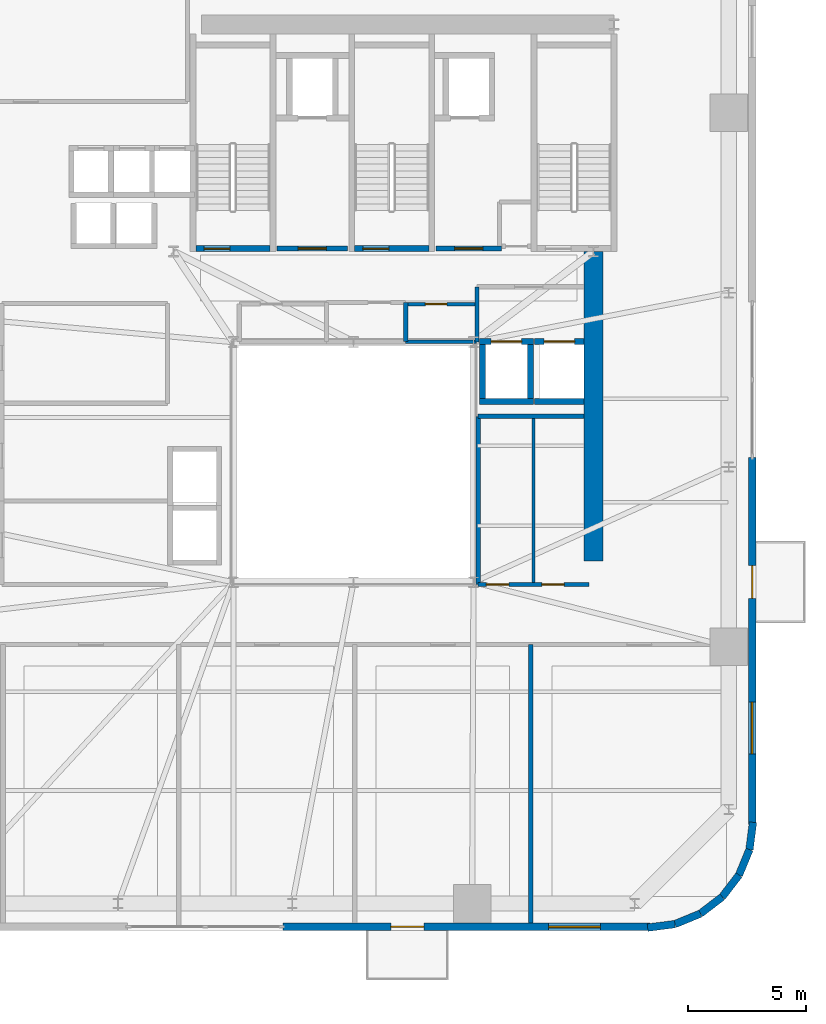
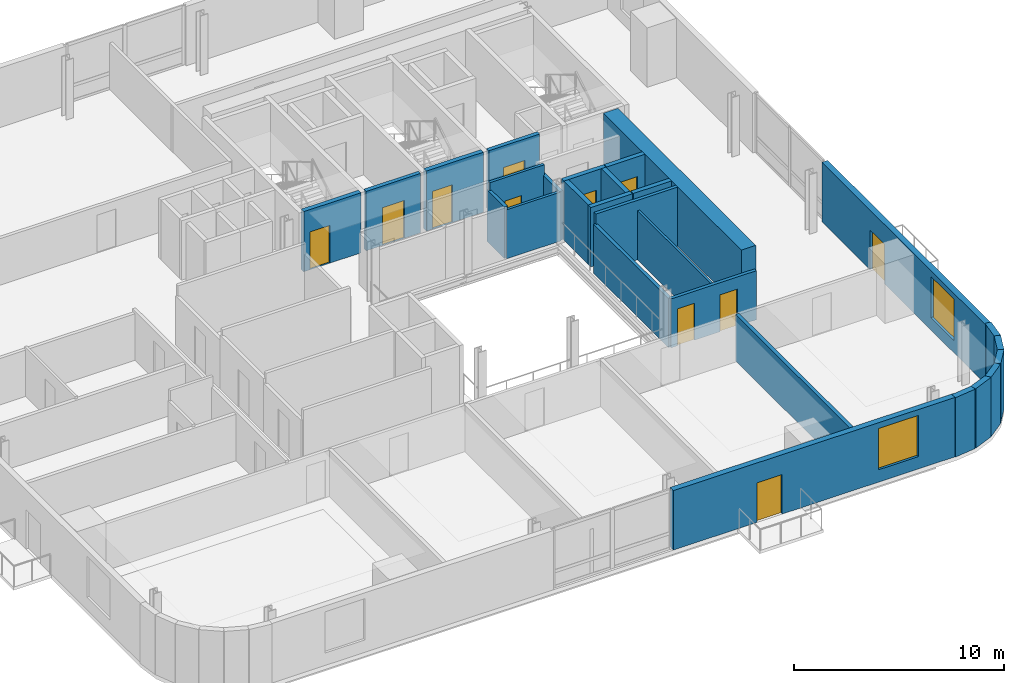
# One storey, part 7 of 13: 28 walls, 11 doors, 2 windows, 13 openings.
"""IFC4 building model written with IfcOpenShell, lengths in metres."""

from ifc_helpers import new_model, si_unit, direction, frame, frame_2d, origin, place, context, subcontext, project, spatial, rectangle, extrude, source, transform, mapped, material, layer, layer_set, type_object, element, fill, save


model = new_model("IFC4")

# Units and contexts
model_context = context("Model", 3, precision=1e-05, world=origin(), true_north=direction((0.0, 1.0)))
body_context = subcontext(model_context, "Body", "Model", "MODEL_VIEW")
ifc_project = project(units=[si_unit("LENGTHUNIT", "METRE"), si_unit("AREAUNIT", "SQUARE_METRE"), si_unit("VOLUMEUNIT", "CUBIC_METRE"), si_unit("PLANEANGLEUNIT", "RADIAN"), si_unit("MASSUNIT", "GRAM", prefix="KILO")], contexts=[model_context])

# Site, building, storey
site_placement = place(None, origin())
site = spatial("IfcSite", under=ifc_project, at=site_placement, CompositionType="ELEMENT")
building_placement = place(site_placement, origin())
building = spatial("IfcBuilding", under=site, at=building_placement, Name="Vardaveli Station Tower", CompositionType="ELEMENT")
storey_placement = place(building_placement, frame((0.0, 0.0, 115.0)))
storey = spatial("IfcBuildingStorey", under=building, at=storey_placement, Name="L29", CompositionType="ELEMENT", Elevation=115.0)

# Wall
ifc_material_1 = material(Name="Concrete C50/60", Category="concrete")
ifc_layer_1 = layer(ifc_material_1, 0.800048828125, Name="Concrete C50/60")
ifc_layer_set_1 = layer_set([ifc_layer_1], Name="Concrete C50/60")
wall_type_1 = type_object("IfcWallType", Name="WAL-CORE-800", PredefinedType="SHEAR", material=ifc_layer_set_1)
shared_shape_1 = source(origin(), body_context, "Body", "SweptSolid", [
    extrude(rectangle(XDim=13.14990234375, YDim=0.800048828125, at=frame_2d((6.574951171875, 0.0))), origin(), (0.0, 0.0, 1.0), 3.4599609375),
])
wall_1_placement = place(storey_placement, frame((46.5, 17.5, 0.0), z_axis=(0.0, 0.0, 1.0), x_axis=(0.0, 1.0, 0.0)))
element("IfcWall", 1, at=wall_1_placement, inside=storey, type_object=wall_type_1, Name="SW-L29-EAST2", PredefinedType="SHEAR", context=body_context, shape_type="MappedRepresentation", body=[
    mapped(shared_shape_1, transform((0.0, 0.0, 0.0), scale=1.0)),
])

# Wall, openings, door, window
ifc_material_2 = material(Name="Precast concrete C45/55", Category="concrete")
ifc_layer_2 = layer(ifc_material_2, 0.320068359375, Name="Precast concrete C45/55")
ifc_layer_set_2 = layer_set([ifc_layer_2], Name="Precast concrete C45/55")
wall_type_2 = type_object("IfcWallType", Name="WAL-EXT-STONE-320", PredefinedType="SOLIDWALL", material=ifc_layer_set_2)
shared_shape_2 = source(origin(), body_context, "Body", "SweptSolid", [
    extrude(rectangle(XDim=15.599853515625, YDim=0.320068359375, at=frame_2d((7.7998046875, 0.0))), origin(), (0.0, 0.0, 1.0), 3.4599609375),
])
wall_2_placement = place(storey_placement, frame((33.300048828125, 1.9599609375, 0.0), z_axis=(0.0, 0.0, 1.0), x_axis=(1.0, 0.0, 0.0)))
wall_2 = element("IfcWall", 2, at=wall_2_placement, inside=storey, type_object=wall_type_2, Name="EW-L29-S2", PredefinedType="SOLIDWALL", context=body_context, shape_type="MappedRepresentation", body=[
    mapped(shared_shape_2, transform((0.0, 0.0, 0.0), scale=1.0)),
])
shared_shape_3 = source(origin(), body_context, "Body", "SweptSolid", [
    extrude(rectangle(XDim=1.39990234375, YDim=2.300048828125, at=frame_2d((0.699951171875, 1.14990234375))), frame((0.0, 0.169921875, 0.0), z_axis=(0.0, -1.0, 0.0), x_axis=(1.0, 0.0, 0.0)), (0.0, 0.0, 1.0), 0.340087890625),
])
opening_1_placement = place(wall_2_placement, frame((4.589599609375, 0.0, 0.0)))
opening_1 = element("IfcOpeningElement", 3, at=opening_1_placement, cuts=wall_2, Name="Opening D-09", PredefinedType="OPENING", context=body_context, shape_type="MappedRepresentation", body=[
    mapped(shared_shape_3, transform((0.0, 0.0, 0.0), scale=1.0)),
])
shared_shape_4 = source(origin(), body_context, "Body", "SweptSolid", [
    extrude(rectangle(XDim=2.199951171875, YDim=2.39990234375, at=frame_2d((1.10009765625, 1.199951171875))), frame((0.0, 0.169921875, 0.0), z_axis=(0.0, -1.0, 0.0), x_axis=(1.0, 0.0, 0.0)), (0.0, 0.0, 1.0), 0.340087890625),
])
opening_2_placement = place(wall_2_placement, frame((11.294921875, 0.0, 0.719970703125)))
opening_2 = element("IfcOpeningElement", 4, at=opening_2_placement, cuts=wall_2, Name="Opening W-03", PredefinedType="OPENING", context=body_context, shape_type="MappedRepresentation", body=[
    mapped(shared_shape_4, transform((0.0, 0.0, 0.0), scale=1.0)),
])
ifc_material_3 = material(Name="Thermally broken aluminium glass", Category="aluminium")
door_type_1 = type_object("IfcDoorType", Name="DR-LOG-1400x2300", OperationType="DOUBLE_DOOR_SLIDING", PredefinedType="DOOR", material=ifc_material_3)
shared_shape_5 = source(origin(), body_context, "Body", "SweptSolid", [
    extrude(rectangle(XDim=1.39990234375, YDim=2.300048828125, at=frame_2d((0.699951171875, 1.14990234375))), frame((0.0, 0.02490234375, 0.0), z_axis=(0.0, -1.0, 0.0), x_axis=(1.0, 0.0, 0.0)), (0.0, 0.0, 1.0), 0.050048828125),
])
door_1_placement = place(opening_1_placement, frame((1.39990234375, 0.0, 0.0), z_axis=(0.0, 0.0, 1.0), x_axis=(-1.0, 0.0, 0.0)))
door_1 = element("IfcDoor", 5, at=door_1_placement, inside=storey, type_object=door_type_1, Name="DLG-L29-S", OperationType="DOUBLE_DOOR_SLIDING", OverallHeight=2.300048828125, OverallWidth=1.39990234375, PredefinedType="DOOR", context=body_context, shape_type="MappedRepresentation", body=[
    mapped(shared_shape_5, transform((0.0, 0.0, 0.0), scale=1.0)),
])
fill(opening_1, door_1)
ifc_material_4 = material(Name="Low-E solar-control glass", Category="glass")
window_type = type_object("IfcWindowType", Name="WIN-LOG-2200x2400", PartitioningType="SINGLE_PANEL", PredefinedType="WINDOW", material=ifc_material_4)
shared_shape_6 = source(origin(), body_context, "Body", "SweptSolid", [
    extrude(rectangle(XDim=2.199951171875, YDim=2.39990234375, at=frame_2d((1.10009765625, 1.199951171875))), frame((0.0, 0.030029296875, 0.0), z_axis=(0.0, -1.0, 0.0), x_axis=(1.0, 0.0, 0.0)), (0.0, 0.0, 1.0), 0.06005859375),
])
window_1_placement = place(opening_2_placement, origin())
window_1 = element("IfcWindow", 6, at=window_1_placement, inside=storey, type_object=window_type, Name="WN-L29-S2", OverallHeight=2.39990234375, OverallWidth=2.199951171875, PartitioningType="SINGLE_PANEL", PredefinedType="WINDOW", context=body_context, shape_type="MappedRepresentation", body=[
    mapped(shared_shape_6, transform((0.0, 0.0, 0.0), scale=1.0)),
])
fill(opening_2, window_1)

wall_3_placement = place(storey_placement, frame((53.239990234375, 6.300048828125, 0.0), z_axis=(0.0, 0.0, 1.0), x_axis=(0.0, 1.0, 0.0)))
wall_3 = element("IfcWall", 7, at=wall_3_placement, inside=storey, type_object=wall_type_2, Name="EW-L29-E1", PredefinedType="SOLIDWALL", context=body_context, shape_type="MappedRepresentation", body=[
    mapped(shared_shape_2, transform((0.0, 0.0, 0.0), scale=1.0)),
])
opening_3_placement = place(wall_3_placement, frame((9.6103515625, 0.0, 0.0)))
opening_3 = element("IfcOpeningElement", 8, at=opening_3_placement, cuts=wall_3, Name="Opening D-09", PredefinedType="OPENING", context=body_context, shape_type="MappedRepresentation", body=[
    mapped(shared_shape_3, transform((0.0, 0.0, 0.0), scale=1.0)),
])
opening_4_placement = place(wall_3_placement, frame((3.0048828125, 0.0, 0.719970703125)))
opening_4 = element("IfcOpeningElement", 9, at=opening_4_placement, cuts=wall_3, Name="Opening W-03", PredefinedType="OPENING", context=body_context, shape_type="MappedRepresentation", body=[
    mapped(shared_shape_4, transform((0.0, 0.0, 0.0), scale=1.0)),
])
door_2_placement = place(opening_3_placement, frame((1.39990234375, 0.0, 0.0), z_axis=(0.0, 0.0, 1.0), x_axis=(-1.0, 0.0, 0.0)))
door_2 = element("IfcDoor", 10, at=door_2_placement, inside=storey, type_object=door_type_1, Name="DLG-L29-E", OperationType="DOUBLE_DOOR_SLIDING", OverallHeight=2.300048828125, OverallWidth=1.39990234375, PredefinedType="DOOR", context=body_context, shape_type="MappedRepresentation", body=[
    mapped(shared_shape_5, transform((0.0, 0.0, 0.0), scale=1.0)),
])
fill(opening_3, door_2)
window_2_placement = place(opening_4_placement, origin())
window_2 = element("IfcWindow", 11, at=window_2_placement, inside=storey, type_object=window_type, Name="WN-L29-E1", OverallHeight=2.39990234375, OverallWidth=2.199951171875, PartitioningType="SINGLE_PANEL", PredefinedType="WINDOW", context=body_context, shape_type="MappedRepresentation", body=[
    mapped(shared_shape_6, transform((0.0, 0.0, 0.0), scale=1.0)),
])
fill(opening_4, window_2)

# Walls
shared_shape_7 = source(origin(), body_context, "Body", "SweptSolid", [
    extrude(rectangle(XDim=1.170654296875, YDim=0.320068359375, at=frame_2d((0.58544921875, 0.0))), origin(), (0.0, 0.0, 1.0), 3.4599609375),
])
wall_4_placement = place(storey_placement, frame((53.12548828125, 5.23974609375, 0.0), z_axis=(0.0, 0.0, 1.0), x_axis=(0.128269133229, 0.991739395941, 0.0)))
element("IfcWall", 12, at=wall_4_placement, inside=storey, type_object=wall_type_2, Name="EW-L29-CR2-6", PredefinedType="SOLIDWALL", context=body_context, shape_type="MappedRepresentation", body=[
    mapped(shared_shape_7, transform((0.0, 0.0, 0.0), scale=1.0)),
])
shared_shape_8 = source(origin(), body_context, "Body", "SweptSolid", [
    extrude(rectangle(XDim=1.1689453125, YDim=0.320068359375, at=frame_2d((0.58447265625, 0.0))), origin(), (0.0, 0.0, 1.0), 3.4599609375),
])
for number, where, z_axis, x_axis, name in (
    (13, (51.96875, 3.231201171875, 0.0), (0.0, 0.0, 1.0), (0.608387696831, 0.793639975269, 0.0), "EW-L29-CR2-4"),
    (14, (52.679931640625, 4.158935546875, 0.0), (0.0, 0.0, 1.0), (0.381127904695, 0.924522320046, 0.0), "EW-L29-CR2-5"),
):
    element("IfcWall", number, at=place(storey_placement, frame(where, z_axis=z_axis, x_axis=x_axis)), inside=storey, type_object=wall_type_2, Name=name, PredefinedType="SOLIDWALL", context=body_context, shape_type="MappedRepresentation", body=[
        mapped(shared_shape_8, transform((0.0, 0.0, 0.0), scale=1.0)),
    ])
shared_shape_9 = source(origin(), body_context, "Body", "SweptSolid", [
    extrude(rectangle(XDim=1.168701171875, YDim=0.320068359375, at=frame_2d((0.58447265625, 0.0))), origin(), (0.0, 0.0, 1.0), 3.4599609375),
])
wall_5_placement = place(storey_placement, frame((51.041259765625, 2.520263671875, 0.0), z_axis=(0.0, 0.0, 1.0), x_axis=(0.793663520347, 0.608356981114, 0.0)))
element("IfcWall", 15, at=wall_5_placement, inside=storey, type_object=wall_type_2, Name="EW-L29-CR2-3", PredefinedType="SOLIDWALL", context=body_context, shape_type="MappedRepresentation", body=[
    mapped(shared_shape_9, transform((0.0, 0.0, 0.0), scale=1.0)),
])
shared_shape_10 = source(origin(), body_context, "Body", "SweptSolid", [
    extrude(rectangle(XDim=1.16943359375, YDim=0.320068359375, at=frame_2d((0.584716796875, 0.0))), origin(), (0.0, 0.0, 1.0), 3.4599609375),
])
wall_6_placement = place(storey_placement, frame((49.960205078125, 2.074462890625, 0.0), z_axis=(0.0, 0.0, 1.0), x_axis=(0.924479075121, 0.381232789334, 0.0)))
element("IfcWall", 16, at=wall_6_placement, inside=storey, type_object=wall_type_2, Name="EW-L29-CR2-2", PredefinedType="SOLIDWALL", context=body_context, shape_type="MappedRepresentation", body=[
    mapped(shared_shape_10, transform((0.0, 0.0, 0.0), scale=1.0)),
])
shared_shape_11 = source(origin(), body_context, "Body", "SweptSolid", [
    extrude(rectangle(XDim=1.170166015625, YDim=0.320068359375, at=frame_2d((0.5849609375, 0.0))), origin(), (0.0, 0.0, 1.0), 3.4599609375),
])
wall_7_placement = place(storey_placement, frame((48.799560546875, 1.924560546875, 0.0), z_axis=(0.0, 0.0, 1.0), x_axis=(0.991762485493, 0.128090485085, 0.0)))
element("IfcWall", 17, at=wall_7_placement, inside=storey, type_object=wall_type_2, Name="EW-L29-CR2-1", PredefinedType="SOLIDWALL", context=body_context, shape_type="MappedRepresentation", body=[
    mapped(shared_shape_11, transform((0.0, 0.0, 0.0), scale=1.0)),
])

# Wall, opening, door
ifc_material_5 = material(Name="Concrete C40/50", Category="concrete")
ifc_layer_3 = layer(ifc_material_5, 0.25, Name="Concrete C40/50")
ifc_layer_set_3 = layer_set([ifc_layer_3], Name="Concrete C40/50")
wall_type_3 = type_object("IfcWallType", Name="WAL-SHAFT-250", PredefinedType="SOLIDWALL", material=ifc_layer_set_3)
shared_shape_12 = source(origin(), body_context, "Body", "SweptSolid", [
    extrude(rectangle(XDim=3.14990234375, YDim=0.25, at=frame_2d((1.574951171875, 0.0))), origin(), (0.0, 0.0, 1.0), 3.5),
])
wall_8_placement = place(storey_placement, frame((29.60009765625, 30.77490234375, 0.0), z_axis=(0.0, 0.0, 1.0), x_axis=(1.0, 0.0, 0.0)))
wall_8 = element("IfcWall", 18, at=wall_8_placement, inside=storey, type_object=wall_type_3, Name="W-L29-ST-1S", PredefinedType="SOLIDWALL", context=body_context, shape_type="MappedRepresentation", body=[
    mapped(shared_shape_12, transform((0.0, 0.0, 0.0), scale=1.0)),
])
shared_shape_13 = source(origin(), body_context, "Body", "SweptSolid", [
    extrude(rectangle(XDim=1.10009765625, YDim=2.199951171875, at=frame_2d((0.550048828125, 1.10009765625))), frame((0.0, 0.135009765625, 0.0), z_axis=(0.0, -1.0, 0.0), x_axis=(1.0, 0.0, 0.0)), (0.0, 0.0, 1.0), 0.27001953125),
])
opening_5_placement = place(wall_8_placement, frame((0.35009765625, 0.0, 0.0)))
opening_5 = element("IfcOpeningElement", 19, at=opening_5_placement, cuts=wall_8, Name="Opening D-04", PredefinedType="OPENING", context=body_context, shape_type="MappedRepresentation", body=[
    mapped(shared_shape_13, transform((0.0, 0.0, 0.0), scale=1.0)),
])
ifc_material_6 = material(Name="Steel smokeproof fire doorset", Category="steel")
door_type_2 = type_object("IfcDoorType", Name="DR-ST-1100x2200", OperationType="NOTDEFINED", PredefinedType="DOOR", material=ifc_material_6)
shared_shape_14 = source(origin(), body_context, "Body", "SweptSolid", [
    extrude(rectangle(XDim=1.10009765625, YDim=2.199951171875, at=frame_2d((0.550048828125, 1.10009765625))), frame((0.0, 0.02490234375, 0.0), z_axis=(0.0, -1.0, 0.0), x_axis=(1.0, 0.0, 0.0)), (0.0, 0.0, 1.0), 0.050048828125),
])
door_3_placement = place(opening_5_placement, origin())
door_3 = element("IfcDoor", 20, at=door_3_placement, inside=storey, type_object=door_type_2, Name="DST-1-L29", OperationType="SINGLE_SWING_LEFT", OverallHeight=2.199951171875, OverallWidth=1.10009765625, PredefinedType="DOOR", context=body_context, shape_type="MappedRepresentation", body=[
    mapped(shared_shape_14, transform((0.0, 0.0, 0.0), scale=1.0)),
])
fill(opening_5, door_3)

wall_9_placement = place(storey_placement, frame((36.35009765625, 30.77490234375, 0.0), z_axis=(0.0, 0.0, 1.0), x_axis=(1.0, 0.0, 0.0)))
wall_9 = element("IfcWall", 21, at=wall_9_placement, inside=storey, type_object=wall_type_3, Name="W-L29-ST-2S", PredefinedType="SOLIDWALL", context=body_context, shape_type="MappedRepresentation", body=[
    mapped(shared_shape_12, transform((0.0, 0.0, 0.0), scale=1.0)),
])
opening_6_placement = place(wall_9_placement, frame((0.35009765625, 0.0, 0.0)))
opening_6 = element("IfcOpeningElement", 22, at=opening_6_placement, cuts=wall_9, Name="Opening D-04", PredefinedType="OPENING", context=body_context, shape_type="MappedRepresentation", body=[
    mapped(shared_shape_13, transform((0.0, 0.0, 0.0), scale=1.0)),
])
door_4_placement = place(opening_6_placement, origin())
door_4 = element("IfcDoor", 23, at=door_4_placement, inside=storey, type_object=door_type_2, Name="DST-2-L29", OperationType="SINGLE_SWING_LEFT", OverallHeight=2.199951171875, OverallWidth=1.10009765625, PredefinedType="DOOR", context=body_context, shape_type="MappedRepresentation", body=[
    mapped(shared_shape_14, transform((0.0, 0.0, 0.0), scale=1.0)),
])
fill(opening_6, door_4)

ifc_layer_4 = layer(ifc_material_5, 0.219970703125, Name="Concrete C40/50")
ifc_layer_set_4 = layer_set([ifc_layer_4], Name="Concrete C40/50")
wall_type_4 = type_object("IfcWallType", Name="WAL-FFLOBBY-220", PredefinedType="SOLIDWALL", material=ifc_layer_set_4)
shared_shape_15 = source(origin(), body_context, "Body", "SweptSolid", [
    extrude(rectangle(XDim=3.0, YDim=0.219970703125, at=frame_2d((1.5, 0.0))), origin(), (0.0, 0.0, 1.0), 3.4599609375),
])
wall_10_placement = place(storey_placement, frame((33.050048828125, 30.780029296875, 0.0), z_axis=(0.0, 0.0, 1.0), x_axis=(1.0, 0.0, 0.0)))
wall_10 = element("IfcWall", 24, at=wall_10_placement, inside=storey, type_object=wall_type_4, Name="W-L29-FFL1S", PredefinedType="SOLIDWALL", context=body_context, shape_type="MappedRepresentation", body=[
    mapped(shared_shape_15, transform((0.0, 0.0, 0.0), scale=1.0)),
])
shared_shape_16 = source(origin(), body_context, "Body", "SweptSolid", [
    extrude(rectangle(XDim=1.199951171875, YDim=2.199951171875, at=frame_2d((0.60009765625, 1.10009765625))), frame((0.0, 0.1201171875, 0.0), z_axis=(0.0, -1.0, 0.0), x_axis=(1.0, 0.0, 0.0)), (0.0, 0.0, 1.0), 0.239990234375),
])
opening_7_placement = place(wall_10_placement, frame((0.89990234375, 0.0, 0.0)))
opening_7 = element("IfcOpeningElement", 25, at=opening_7_placement, cuts=wall_10, Name="Opening D-03", PredefinedType="OPENING", context=body_context, shape_type="MappedRepresentation", body=[
    mapped(shared_shape_16, transform((0.0, 0.0, 0.0), scale=1.0)),
])
door_type_3 = type_object("IfcDoorType", Name="DR-FFL-1200x2200", OperationType="NOTDEFINED", PredefinedType="DOOR", material=ifc_material_6)
shared_shape_17 = source(origin(), body_context, "Body", "SweptSolid", [
    extrude(rectangle(XDim=1.199951171875, YDim=2.199951171875, at=frame_2d((0.60009765625, 1.10009765625))), frame((0.0, 0.02490234375, 0.0), z_axis=(0.0, -1.0, 0.0), x_axis=(1.0, 0.0, 0.0)), (0.0, 0.0, 1.0), 0.050048828125),
])
door_5_placement = place(opening_7_placement, origin())
door_5 = element("IfcDoor", 26, at=door_5_placement, inside=storey, type_object=door_type_3, Name="DFFL1-L29", OperationType="SINGLE_SWING_LEFT", OverallHeight=2.199951171875, OverallWidth=1.199951171875, PredefinedType="DOOR", context=body_context, shape_type="MappedRepresentation", body=[
    mapped(shared_shape_17, transform((0.0, 0.0, 0.0), scale=1.0)),
])
fill(opening_7, door_5)

shared_shape_18 = source(origin(), body_context, "Body", "SweptSolid", [
    extrude(rectangle(XDim=2.800048828125, YDim=0.219970703125, at=frame_2d((1.39990234375, 0.0))), origin(), (0.0, 0.0, 1.0), 3.4599609375),
])
wall_11_placement = place(storey_placement, frame((39.800048828125, 30.780029296875, 0.0), z_axis=(0.0, 0.0, 1.0), x_axis=(1.0, 0.0, 0.0)))
wall_11 = element("IfcWall", 27, at=wall_11_placement, inside=storey, type_object=wall_type_4, Name="W-L29-FFL2S", PredefinedType="SOLIDWALL", context=body_context, shape_type="MappedRepresentation", body=[
    mapped(shared_shape_18, transform((0.0, 0.0, 0.0), scale=1.0)),
])
opening_8_placement = place(wall_11_placement, frame((0.800048828125, 0.0, 0.0)))
opening_8 = element("IfcOpeningElement", 28, at=opening_8_placement, cuts=wall_11, Name="Opening D-03", PredefinedType="OPENING", context=body_context, shape_type="MappedRepresentation", body=[
    mapped(shared_shape_16, transform((0.0, 0.0, 0.0), scale=1.0)),
])
door_6_placement = place(opening_8_placement, origin())
door_6 = element("IfcDoor", 29, at=door_6_placement, inside=storey, type_object=door_type_3, Name="DFFL2-L29", OperationType="SINGLE_SWING_RIGHT", OverallHeight=2.199951171875, OverallWidth=1.199951171875, PredefinedType="DOOR", context=body_context, shape_type="MappedRepresentation", body=[
    mapped(shared_shape_17, transform((0.0, 0.0, 0.0), scale=1.0)),
])
fill(opening_8, door_6)

# Wall
shared_shape_19 = source(origin(), body_context, "Body", "SweptSolid", [
    extrude(rectangle(XDim=2.300048828125, YDim=0.25, at=frame_2d((1.14990234375, 0.0))), origin(), (0.0, 0.0, 1.0), 3.4599609375),
])
wall_12_placement = place(storey_placement, frame((41.64990234375, 24.27490234375, 0.0), z_axis=(0.0, 0.0, 1.0), x_axis=(1.0, 0.0, 0.0)))
element("IfcWall", 30, at=wall_12_placement, inside=storey, type_object=wall_type_3, Name="SHW-SRV-01-L29-S", PredefinedType="SOLIDWALL", context=body_context, shape_type="MappedRepresentation", body=[
    mapped(shared_shape_19, transform((0.0, 0.0, 0.0), scale=1.0)),
])

# Wall, opening, door
wall_13_placement = place(storey_placement, frame((41.64990234375, 26.824951171875, 0.0), z_axis=(0.0, 0.0, 1.0), x_axis=(1.0, 0.0, 0.0)))
wall_13 = element("IfcWall", 31, at=wall_13_placement, inside=storey, type_object=wall_type_3, Name="SHW-SRV-01-L29-N", PredefinedType="SOLIDWALL", context=body_context, shape_type="MappedRepresentation", body=[
    mapped(shared_shape_19, transform((0.0, 0.0, 0.0), scale=1.0)),
])
shared_shape_20 = source(origin(), body_context, "Body", "SweptSolid", [
    extrude(rectangle(XDim=1.300048828125, YDim=2.300048828125, at=frame_2d((0.64990234375, 1.14990234375))), frame((0.0, 0.135009765625, 0.0), z_axis=(0.0, -1.0, 0.0), x_axis=(1.0, 0.0, 0.0)), (0.0, 0.0, 1.0), 0.27001953125),
])
opening_9_placement = place(wall_13_placement, frame((0.5, 0.0, 0.0)))
opening_9 = element("IfcOpeningElement", 32, at=opening_9_placement, cuts=wall_13, Name="Opening LD-03", PredefinedType="OPENING", context=body_context, shape_type="MappedRepresentation", body=[
    mapped(shared_shape_20, transform((0.0, 0.0, 0.0), scale=1.0)),
])
ifc_material_7 = material(Name="Brushed stainless steel", Category="steel")
door_type_4 = type_object("IfcDoorType", Name="DR-LD-1300x2300", OperationType="DOUBLE_DOOR_SLIDING", PredefinedType="DOOR", material=ifc_material_7)
shared_shape_21 = source(origin(), body_context, "Body", "SweptSolid", [
    extrude(rectangle(XDim=1.300048828125, YDim=2.300048828125, at=frame_2d((0.64990234375, 1.14990234375))), frame((0.0, 0.02490234375, 0.0), z_axis=(0.0, -1.0, 0.0), x_axis=(1.0, 0.0, 0.0)), (0.0, 0.0, 1.0), 0.050048828125),
])
door_7_placement = place(opening_9_placement, origin())
door_7 = element("IfcDoor", 33, at=door_7_placement, inside=storey, type_object=door_type_4, Name="LD-SRV-01-L29", OperationType="DOUBLE_DOOR_SLIDING", OverallHeight=2.300048828125, OverallWidth=1.300048828125, PredefinedType="DOOR", context=body_context, shape_type="MappedRepresentation", body=[
    mapped(shared_shape_21, transform((0.0, 0.0, 0.0), scale=1.0)),
])
fill(opening_9, door_7)

# Walls
for number, where, z_axis, x_axis, name in (
    (34, (41.77490234375, 24.39990234375, 0.0), (0.0, 0.0, 1.0), (0.0, 1.0, 0.0), "SHW-SRV-01-L29-W"),
    (35, (43.824951171875, 24.39990234375, 0.0), (0.0, 0.0, 1.0), (0.0, 1.0, 0.0), "SHW-SRV-01-L29-E"),
):
    element("IfcWall", number, at=place(storey_placement, frame(where, z_axis=z_axis, x_axis=x_axis)), inside=storey, type_object=wall_type_3, Name=name, PredefinedType="SOLIDWALL", context=body_context, shape_type="MappedRepresentation", body=[
        mapped(shared_shape_19, transform((0.0, 0.0, 0.0), scale=1.0)),
    ])
shared_shape_22 = source(origin(), body_context, "Body", "SweptSolid", [
    extrude(rectangle(XDim=2.10009765625, YDim=0.25, at=frame_2d((1.050048828125, 0.0))), origin(), (0.0, 0.0, 1.0), 3.4599609375),
])
wall_14_placement = place(storey_placement, frame((44.0, 24.27490234375, 0.0), z_axis=(0.0, 0.0, 1.0), x_axis=(1.0, 0.0, 0.0)))
element("IfcWall", 36, at=wall_14_placement, inside=storey, type_object=wall_type_3, Name="SHW-SRV-02-L29-S", PredefinedType="SOLIDWALL", context=body_context, shape_type="MappedRepresentation", body=[
    mapped(shared_shape_22, transform((0.0, 0.0, 0.0), scale=1.0)),
])

# Wall, opening, door
wall_15_placement = place(storey_placement, frame((44.0, 26.824951171875, 0.0), z_axis=(0.0, 0.0, 1.0), x_axis=(1.0, 0.0, 0.0)))
wall_15 = element("IfcWall", 37, at=wall_15_placement, inside=storey, type_object=wall_type_3, Name="SHW-SRV-02-L29-N", PredefinedType="SOLIDWALL", context=body_context, shape_type="MappedRepresentation", body=[
    mapped(shared_shape_22, transform((0.0, 0.0, 0.0), scale=1.0)),
])
opening_10_placement = place(wall_15_placement, frame((0.39990234375, 0.0, 0.0)))
opening_10 = element("IfcOpeningElement", 38, at=opening_10_placement, cuts=wall_15, Name="Opening LD-03", PredefinedType="OPENING", context=body_context, shape_type="MappedRepresentation", body=[
    mapped(shared_shape_20, transform((0.0, 0.0, 0.0), scale=1.0)),
])
door_8_placement = place(opening_10_placement, origin())
door_8 = element("IfcDoor", 39, at=door_8_placement, inside=storey, type_object=door_type_4, Name="LD-SRV-02-L29", OperationType="DOUBLE_DOOR_SLIDING", OverallHeight=2.300048828125, OverallWidth=1.300048828125, PredefinedType="DOOR", context=body_context, shape_type="MappedRepresentation", body=[
    mapped(shared_shape_21, transform((0.0, 0.0, 0.0), scale=1.0)),
])
fill(opening_10, door_8)

# Wall, openings, doors
ifc_material_8 = material(Name="Fire-rated gypsum stud partition")
ifc_layer_5 = layer(ifc_material_8, 0.179931640625, Name="Fire-rated gypsum stud partition")
ifc_layer_set_5 = layer_set([ifc_layer_5], Name="Fire-rated gypsum stud partition")
wall_type_5 = type_object("IfcWallType", Name="WAL-CORR-180", PredefinedType="PARTITIONING", material=ifc_layer_set_5)
shared_shape_23 = source(origin(), body_context, "Body", "SweptSolid", [
    extrude(rectangle(XDim=4.699951171875, YDim=0.179931640625, at=frame_2d((2.35009765625, 0.0))), origin(), (0.0, 0.0, 1.0), 2.85205078125),
])
wall_16_placement = place(storey_placement, frame((41.60009765625, 16.5, 0.0), z_axis=(0.0, 0.0, 1.0), x_axis=(1.0, 0.0, 0.0)))
wall_16 = element("IfcWall", 40, at=wall_16_placement, inside=storey, type_object=wall_type_5, Name="W-L29-ATE-S", PredefinedType="PARTITIONING", context=body_context, shape_type="MappedRepresentation", body=[
    mapped(shared_shape_23, transform((0.0, 0.0, 0.0), scale=1.0)),
])
shared_shape_24 = source(origin(), body_context, "Body", "SweptSolid", [
    extrude(rectangle(XDim=0.949951171875, YDim=2.14990234375, at=frame_2d((0.47509765625, 1.074951171875))), frame((0.0, 0.10009765625, 0.0), z_axis=(0.0, -1.0, 0.0), x_axis=(1.0, 0.0, 0.0)), (0.0, 0.0, 1.0), 0.199951171875),
])
opening_11_placement = place(wall_16_placement, frame((0.35009765625, 0.0, 0.0)))
opening_11 = element("IfcOpeningElement", 41, at=opening_11_placement, cuts=wall_16, Name="Opening D-11", PredefinedType="OPENING", context=body_context, shape_type="MappedRepresentation", body=[
    mapped(shared_shape_24, transform((0.0, 0.0, 0.0), scale=1.0)),
])
opening_12_placement = place(wall_16_placement, frame((2.699951171875, 0.0, 0.0)))
opening_12 = element("IfcOpeningElement", 42, at=opening_12_placement, cuts=wall_16, Name="Opening D-11", PredefinedType="OPENING", context=body_context, shape_type="MappedRepresentation", body=[
    mapped(shared_shape_24, transform((0.0, 0.0, 0.0), scale=1.0)),
])
ifc_material_9 = material(Name="Oak veneer internal suite door")
door_type_5 = type_object("IfcDoorType", Name="DR-INT-950x2150", OperationType="NOTDEFINED", PredefinedType="DOOR", material=ifc_material_9)
shared_shape_25 = source(origin(), body_context, "Body", "SweptSolid", [
    extrude(rectangle(XDim=0.949951171875, YDim=2.14990234375, at=frame_2d((0.47509765625, 1.074951171875))), frame((0.0, 0.02490234375, 0.0), z_axis=(0.0, -1.0, 0.0), x_axis=(1.0, 0.0, 0.0)), (0.0, 0.0, 1.0), 0.050048828125),
])
door_9_placement = place(opening_11_placement, origin())
door_9 = element("IfcDoor", 43, at=door_9_placement, inside=storey, type_object=door_type_5, Name="D-L29-ATE1", OperationType="SINGLE_SWING_RIGHT", OverallHeight=2.14990234375, OverallWidth=0.949951171875, PredefinedType="DOOR", context=body_context, shape_type="MappedRepresentation", body=[
    mapped(shared_shape_25, transform((0.0, 0.0, 0.0), scale=1.0)),
])
fill(opening_11, door_9)
door_10_placement = place(opening_12_placement, origin())
door_10 = element("IfcDoor", 44, at=door_10_placement, inside=storey, type_object=door_type_5, Name="D-L29-ATE2", OperationType="SINGLE_SWING_LEFT", OverallHeight=2.14990234375, OverallWidth=0.949951171875, PredefinedType="DOOR", context=body_context, shape_type="MappedRepresentation", body=[
    mapped(shared_shape_25, transform((0.0, 0.0, 0.0), scale=1.0)),
])
fill(opening_12, door_10)

# Walls
shared_shape_26 = source(origin(), body_context, "Body", "SweptSolid", [
    extrude(rectangle(XDim=7.14990234375, YDim=0.179931640625, at=frame_2d((3.574951171875, 0.0))), origin(), (0.0, 0.0, 1.0), 2.85205078125),
])
wall_17_placement = place(storey_placement, frame((41.60009765625, 16.5, 0.0), z_axis=(0.0, 0.0, 1.0), x_axis=(0.0, 1.0, 0.0)))
element("IfcWall", 45, at=wall_17_placement, inside=storey, type_object=wall_type_5, Name="W-L29-ATE-W", PredefinedType="PARTITIONING", context=body_context, shape_type="MappedRepresentation", body=[
    mapped(shared_shape_26, transform((0.0, 0.0, 0.0), scale=1.0)),
])
ifc_material_10 = material(Name="Gypsum board stud partition")
ifc_layer_6 = layer(ifc_material_10, 0.125, Name="Gypsum board stud partition")
ifc_layer_set_6 = layer_set([ifc_layer_6], Name="Gypsum board stud partition")
wall_type_6 = type_object("IfcWallType", Name="WAL-INT-125", PredefinedType="PARTITIONING", material=ifc_layer_set_6)
shared_shape_27 = source(origin(), body_context, "Body", "SweptSolid", [
    extrude(rectangle(XDim=7.14990234375, YDim=0.125, at=frame_2d((3.574951171875, 0.0))), origin(), (0.0, 0.0, 1.0), 2.85205078125),
])
wall_18_placement = place(storey_placement, frame((43.949951171875, 16.5, 0.0), z_axis=(0.0, 0.0, 1.0), x_axis=(0.0, 1.0, 0.0)))
element("IfcWall", 46, at=wall_18_placement, inside=storey, type_object=wall_type_6, Name="W-L29-ATEM", PredefinedType="PARTITIONING", context=body_context, shape_type="MappedRepresentation", body=[
    mapped(shared_shape_27, transform((0.0, 0.0, 0.0), scale=1.0)),
])
shared_shape_28 = source(origin(), body_context, "Body", "SweptSolid", [
    extrude(rectangle(XDim=4.497802734375, YDim=0.179931640625, at=frame_2d((2.2490234375, 0.0))), origin(), (0.0, 0.0, 1.0), 3.4599609375),
])
wall_19_placement = place(storey_placement, frame((41.60009765625, 23.64990234375, 0.0), z_axis=(0.0, 0.0, 1.0), x_axis=(1.0, 0.0, 0.0)))
element("IfcWall", 47, at=wall_19_placement, inside=storey, type_object=wall_type_5, Name="W-L29-ATE-N", PredefinedType="PARTITIONING", context=body_context, shape_type="MappedRepresentation", body=[
    mapped(shared_shape_28, transform((0.0, 0.0, 0.0), scale=1.0)),
])
shared_shape_29 = source(origin(), body_context, "Body", "SweptSolid", [
    extrude(rectangle(XDim=2.349853515625, YDim=0.179931640625, at=frame_2d((1.1748046875, 0.0))), origin(), (0.0, 0.0, 1.0), 2.85205078125),
])
wall_20_placement = place(storey_placement, frame((41.550048828125, 26.800048828125, 0.0), z_axis=(0.0, 0.0, 1.0), x_axis=(0.0, 1.0, 0.0)))
element("IfcWall", 48, at=wall_20_placement, inside=storey, type_object=wall_type_5, Name="W-L29-SVFW", PredefinedType="PARTITIONING", context=body_context, shape_type="MappedRepresentation", body=[
    mapped(shared_shape_29, transform((0.0, 0.0, 0.0), scale=1.0)),
])

# Wall, opening, door
ifc_material_11 = material(Name="Moisture-resistant stud partition")
ifc_layer_7 = layer(ifc_material_11, 0.14990234375, Name="Moisture-resistant stud partition")
ifc_layer_set_7 = layer_set([ifc_layer_7], Name="Moisture-resistant stud partition")
wall_type_7 = type_object("IfcWallType", Name="WAL-WET-150", PredefinedType="PARTITIONING", material=ifc_layer_set_7)
shared_shape_30 = source(origin(), body_context, "Body", "SweptSolid", [
    extrude(rectangle(XDim=3.0, YDim=0.14990234375, at=frame_2d((1.5, 0.0))), origin(), (0.0, 0.0, 1.0), 3.4599609375),
])
wall_21_placement = place(storey_placement, frame((38.52001953125, 28.419921875, 0.0), z_axis=(0.0, 0.0, 1.0), x_axis=(1.0, 0.0, 0.0)))
wall_21 = element("IfcWall", 49, at=wall_21_placement, inside=storey, type_object=wall_type_7, Name="W-L29-WCA2-N", PredefinedType="PARTITIONING", context=body_context, shape_type="MappedRepresentation", body=[
    mapped(shared_shape_30, transform((0.0, 0.0, 0.0), scale=1.0)),
])
shared_shape_31 = source(origin(), body_context, "Body", "SweptSolid", [
    extrude(rectangle(XDim=0.919921875, YDim=2.10009765625, at=frame_2d((0.4599609375, 1.050048828125))), frame((0.0, 0.0849609375, 0.0), z_axis=(0.0, -1.0, 0.0), x_axis=(1.0, 0.0, 0.0)), (0.0, 0.0, 1.0), 0.169921875),
])
opening_13_placement = place(wall_21_placement, frame((0.830078125, 0.0, 0.0)))
opening_13 = element("IfcOpeningElement", 50, at=opening_13_placement, cuts=wall_21, Name="Opening D-07", PredefinedType="OPENING", context=body_context, shape_type="MappedRepresentation", body=[
    mapped(shared_shape_31, transform((0.0, 0.0, 0.0), scale=1.0)),
])
ifc_material_12 = material(Name="Moisture-resistant hardwood door", Category="wood")
door_type_6 = type_object("IfcDoorType", Name="DR-WC-920x2100", OperationType="NOTDEFINED", PredefinedType="DOOR", material=ifc_material_12)
shared_shape_32 = source(origin(), body_context, "Body", "SweptSolid", [
    extrude(rectangle(XDim=0.919921875, YDim=2.10009765625, at=frame_2d((0.4599609375, 1.050048828125))), frame((0.0, 0.02490234375, 0.0), z_axis=(0.0, -1.0, 0.0), x_axis=(1.0, 0.0, 0.0)), (0.0, 0.0, 1.0), 0.050048828125),
])
door_11_placement = place(opening_13_placement, origin())
door_11 = element("IfcDoor", 51, at=door_11_placement, inside=storey, type_object=door_type_6, Name="D-L29-WCA", OperationType="SINGLE_SWING_RIGHT", OverallHeight=2.10009765625, OverallWidth=0.919921875, PredefinedType="DOOR", context=body_context, shape_type="MappedRepresentation", body=[
    mapped(shared_shape_32, transform((0.0, 0.0, 0.0), scale=1.0)),
])
fill(opening_13, door_11)

# Walls
ifc_material_13 = material(Name="Acoustic twin-stud gypsum partition")
ifc_layer_8 = layer(ifc_material_13, 0.199951171875, Name="Acoustic twin-stud gypsum partition")
ifc_layer_set_8 = layer_set([ifc_layer_8], Name="Acoustic twin-stud gypsum partition")
wall_type_8 = type_object("IfcWallType", Name="WAL-PARTY-200", PredefinedType="PARTITIONING", material=ifc_layer_set_8)
shared_shape_33 = source(origin(), body_context, "Body", "SweptSolid", [
    extrude(rectangle(XDim=11.827880859375, YDim=0.199951171875, at=frame_2d((5.9140625, 0.0))), origin(), (0.0, 0.0, 1.0), 2.701904296875),
])
wall_22_placement = place(storey_placement, frame((43.830078125, 2.1220703125, 0.0), z_axis=(0.0, 0.0, 1.0), x_axis=(0.0, 1.0, 0.0)))
element("IfcWall", 52, at=wall_22_placement, inside=storey, type_object=wall_type_8, Name="W-L29-PS4", PredefinedType="PARTITIONING", context=body_context, shape_type="MappedRepresentation", body=[
    mapped(shared_shape_33, transform((0.0, 0.0, 0.0), scale=1.0)),
])
shared_shape_34 = source(origin(), body_context, "Body", "SweptSolid", [
    extrude(rectangle(XDim=3.0, YDim=0.14990234375, at=frame_2d((1.5, 0.0))), origin(), (0.0, 0.0, 1.0), 2.85205078125),
])
wall_23_placement = place(storey_placement, frame((38.52001953125, 26.820068359375, 0.0), z_axis=(0.0, 0.0, 1.0), x_axis=(1.0, 0.0, 0.0)))
element("IfcWall", 53, at=wall_23_placement, inside=storey, type_object=wall_type_7, Name="W-L29-WCA2-S", PredefinedType="PARTITIONING", context=body_context, shape_type="MappedRepresentation", body=[
    mapped(shared_shape_34, transform((0.0, 0.0, 0.0), scale=1.0)),
])
shared_shape_35 = source(origin(), body_context, "Body", "SweptSolid", [
    extrude(rectangle(XDim=1.659912109375, YDim=0.179931640625, at=frame_2d((0.830078125, 0.0))), origin(), (0.0, 0.0, 1.0), 3.001953125),
])
wall_24_placement = place(storey_placement, frame((38.52001953125, 26.820068359375, 0.0), z_axis=(0.0, 0.0, 1.0), x_axis=(0.0, 1.0, 0.0)))
element("IfcWall", 54, at=wall_24_placement, inside=storey, type_object=wall_type_5, Name="W-L29-HKP2-E", PredefinedType="PARTITIONING", context=body_context, shape_type="MappedRepresentation", body=[
    mapped(shared_shape_35, transform((0.0, 0.0, 0.0), scale=1.0)),
])

save(model, "model.ifc")
